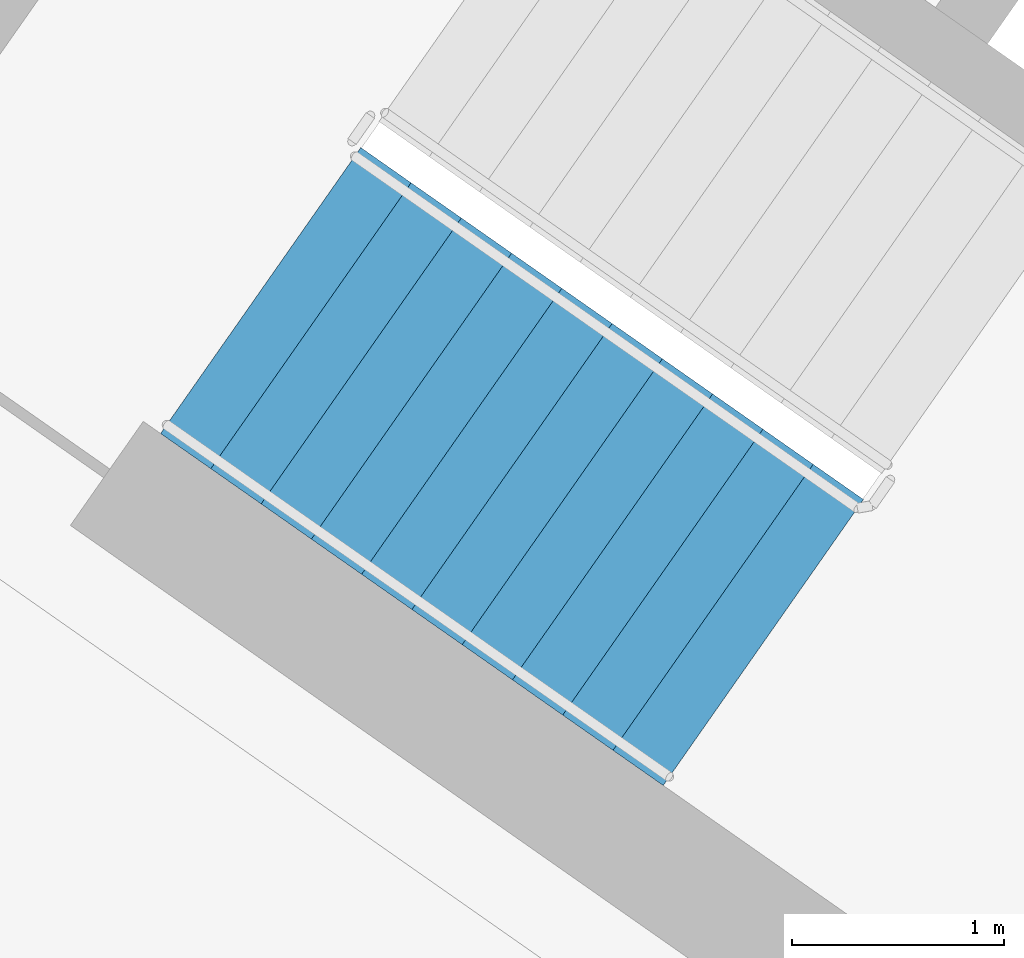
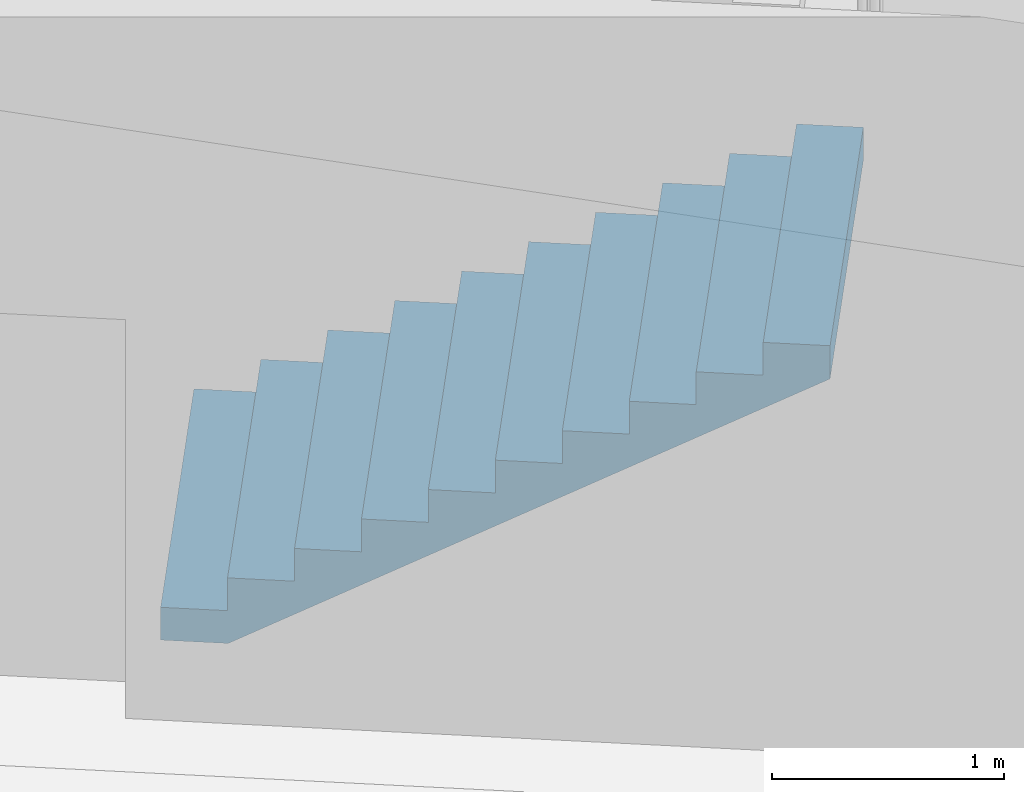
# One storey, part 9 of 27: 1 stair flight, 1 element without a shape of its own.
"""IFC4 building model written with IfcOpenShell, lengths in metres."""

from ifc_helpers import new_model, si_unit, direction, frame, origin, place, context, subcontext, project, spatial, faceted_brep, material, type_object, element, aggregate, save


model = new_model("IFC4")

# Units and contexts
model_context = context("Model", 3, precision=1e-05, world=origin(), true_north=direction((0.0, 1.0)))
body_context = subcontext(model_context, "Body", "Model", "MODEL_VIEW")
ifc_project = project(units=[si_unit("LENGTHUNIT", "METRE"), si_unit("AREAUNIT", "SQUARE_METRE"), si_unit("VOLUMEUNIT", "CUBIC_METRE"), si_unit("PLANEANGLEUNIT", "RADIAN"), si_unit("MASSUNIT", "GRAM", prefix="KILO")], contexts=[model_context])

# Site, building, storey
site_placement = place(None, origin())
site = spatial("IfcSite", under=ifc_project, at=site_placement, CompositionType="ELEMENT")
building_placement = place(site_placement, origin())
building = spatial("IfcBuilding", under=site, at=building_placement, Name="Qamariyya Broadcast Tower", CompositionType="ELEMENT")
storey_placement = place(building_placement, frame((0.0, 0.0, 172.10009765625)))
storey = spatial("IfcBuildingStorey", under=building, at=storey_placement, Name="L40", CompositionType="ELEMENT", Elevation=172.10009765625)

# Stair, stair flight
ifc_material = material(Name="Concrete C50/60", Category="concrete")
stair_type = type_object("IfcStairType", Name="Exit stair 22 risers of 173 mm", PredefinedType="HALF_TURN_STAIR", material=ifc_material)
stair_placement = place(storey_placement, origin())
stair = element("IfcStair", 1, at=stair_placement, inside=storey, type_object=stair_type, Name="L40 Stair W1", PredefinedType="HALF_TURN_STAIR")
stair_flight_type = type_object("IfcStairFlightType", Name="Exit stair flight 11 risers of 173 mm", PredefinedType="STRAIGHT", material=ifc_material)
stair_flight_placement = place(storey_placement, frame((-47.06884765625, -56.982666015625, 0.0), z_axis=(0.0, 0.0, 1.0), x_axis=(0.819152044289, -0.573576436351, 0.0)))
stair_flight = element("IfcStairFlight", 2, at=stair_flight_placement, type_object=stair_flight_type, Name="ST-W1 flight 1", NumberOfRisers=11, NumberOfTreads=10, PredefinedType="STRAIGHT", RiserHeight=0.172727273, TreadLength=0.29, context=body_context, shape_type="Brep", body=[
    faceted_brep([(0.0, 0.824951171875, 0.0), (0.0, 0.824951171875, 0.172607421875), (0.2900390625, 0.824951171875, 0.172607421875), (0.2900390625, 0.824951171875, 0.345458984375), (0.580078125, 0.824951171875, 0.345458984375), (0.580078125, 0.824951171875, 0.51806640625), (0.8701171875, 0.824951171875, 0.51806640625), (0.8701171875, 0.824951171875, 0.69091796875), (1.159912109375, 0.824951171875, 0.69091796875), (1.159912109375, 0.824951171875, 0.863525390625), (1.449951171875, 0.824951171875, 0.863525390625), (1.449951171875, 0.824951171875, 1.036376953125), (1.739990234375, 0.824951171875, 1.036376953125), (1.739990234375, 0.824951171875, 1.208984375), (2.030029296875, 0.824951171875, 1.208984375), (2.030029296875, 0.824951171875, 1.3818359375), (2.320068359375, 0.824951171875, 1.3818359375), (2.320068359375, 0.824951171875, 1.554443359375), (2.610107421875, 0.824951171875, 1.554443359375), (2.610107421875, 0.824951171875, 1.727294921875), (2.89990234375, 0.824951171875, 1.727294921875), (2.89990234375, 0.824951171875, 1.552734375), (0.29296875, 0.824951171875, 0.0), (0.29296875, -0.824951171875, 0.0), (2.89990234375, -0.824951171875, 1.552734375), (2.89990234375, -0.824951171875, 1.727294921875), (2.610107421875, -0.824951171875, 1.727294921875), (2.610107421875, -0.824951171875, 1.554443359375), (2.320068359375, -0.824951171875, 1.554443359375), (2.320068359375, -0.824951171875, 1.3818359375), (2.030029296875, -0.824951171875, 1.3818359375), (2.030029296875, -0.824951171875, 1.208984375), (1.739990234375, -0.824951171875, 1.208984375), (1.739990234375, -0.824951171875, 1.036376953125), (1.449951171875, -0.824951171875, 1.036376953125), (1.449951171875, -0.824951171875, 0.863525390625), (1.159912109375, -0.824951171875, 0.863525390625), (1.159912109375, -0.824951171875, 0.69091796875), (0.8701171875, -0.824951171875, 0.69091796875), (0.8701171875, -0.824951171875, 0.51806640625), (0.580078125, -0.824951171875, 0.51806640625), (0.580078125, -0.824951171875, 0.345458984375), (0.2900390625, -0.824951171875, 0.345458984375), (0.2900390625, -0.824951171875, 0.172607421875), (0.0, -0.824951171875, 0.172607421875), (0.0, -0.824951171875, 0.0), (0.0, 0.10009765625, 0.0), (0.0, 0.086669921875, 0.0), (0.0, 0.0732421875, 0.0), (0.0, 0.06005859375, 0.0), (0.0, 0.046630859375, 0.0), (0.0, 0.033447265625, 0.0), (0.0, 0.02001953125, 0.0), (0.0, 0.006591796875, 0.0), (0.0, -0.006591796875, 0.0), (0.0, -0.02001953125, 0.0), (0.0, -0.033447265625, 0.0), (0.0, -0.046630859375, 0.0), (0.0, -0.06005859375, 0.0), (0.0, -0.0732421875, 0.0), (0.0, -0.086669921875, 0.0), (0.0, -0.10009765625, 0.0), (0.0, -0.10009765625, 0.172607421875), (0.0, -0.086669921875, 0.172607421875), (0.0, -0.0732421875, 0.172607421875), (0.0, -0.06005859375, 0.172607421875), (0.0, -0.046630859375, 0.172607421875), (0.0, -0.033447265625, 0.172607421875), (0.0, -0.02001953125, 0.172607421875), (0.0, -0.006591796875, 0.172607421875), (0.0, 0.006591796875, 0.172607421875), (0.0, 0.02001953125, 0.172607421875), (0.0, 0.033447265625, 0.172607421875), (0.0, 0.046630859375, 0.172607421875), (0.0, 0.06005859375, 0.172607421875), (0.0, 0.0732421875, 0.172607421875), (0.0, 0.086669921875, 0.172607421875), (0.0, 0.10009765625, 0.172607421875), (0.2900390625, -0.10009765625, 0.172607421875), (0.2900390625, -0.086669921875, 0.172607421875), (0.2900390625, -0.0732421875, 0.172607421875), (0.2900390625, -0.06005859375, 0.172607421875), (0.2900390625, -0.046630859375, 0.172607421875), (0.2900390625, -0.033447265625, 0.172607421875), (0.2900390625, -0.02001953125, 0.172607421875), (0.2900390625, -0.006591796875, 0.172607421875), (0.2900390625, 0.006591796875, 0.172607421875), (0.2900390625, 0.02001953125, 0.172607421875), (0.2900390625, 0.033447265625, 0.172607421875), (0.2900390625, 0.046630859375, 0.172607421875), (0.2900390625, 0.06005859375, 0.172607421875), (0.2900390625, 0.0732421875, 0.172607421875), (0.2900390625, 0.086669921875, 0.172607421875), (0.2900390625, 0.10009765625, 0.172607421875), (0.2900390625, -0.10009765625, 0.345458984375), (0.2900390625, -0.086669921875, 0.345458984375), (0.2900390625, -0.0732421875, 0.345458984375), (0.2900390625, -0.06005859375, 0.345458984375), (0.2900390625, -0.046630859375, 0.345458984375), (0.2900390625, -0.033447265625, 0.345458984375), (0.2900390625, -0.02001953125, 0.345458984375), (0.2900390625, -0.006591796875, 0.345458984375), (0.2900390625, 0.006591796875, 0.345458984375), (0.2900390625, 0.02001953125, 0.345458984375), (0.2900390625, 0.033447265625, 0.345458984375), (0.2900390625, 0.046630859375, 0.345458984375), (0.2900390625, 0.06005859375, 0.345458984375), (0.2900390625, 0.0732421875, 0.345458984375), (0.2900390625, 0.086669921875, 0.345458984375), (0.2900390625, 0.10009765625, 0.345458984375), (0.580078125, -0.10009765625, 0.345458984375), (0.580078125, -0.086669921875, 0.345458984375), (0.580078125, -0.0732421875, 0.345458984375), (0.580078125, -0.06005859375, 0.345458984375), (0.580078125, -0.046630859375, 0.345458984375), (0.580078125, -0.033447265625, 0.345458984375), (0.580078125, -0.02001953125, 0.345458984375), (0.580078125, -0.006591796875, 0.345458984375), (0.580078125, 0.006591796875, 0.345458984375), (0.580078125, 0.02001953125, 0.345458984375), (0.580078125, 0.033447265625, 0.345458984375), (0.580078125, 0.046630859375, 0.345458984375), (0.580078125, 0.06005859375, 0.345458984375), (0.580078125, 0.0732421875, 0.345458984375), (0.580078125, 0.086669921875, 0.345458984375), (0.580078125, 0.10009765625, 0.345458984375), (0.580078125, -0.10009765625, 0.51806640625), (0.580078125, -0.086669921875, 0.51806640625), (0.580078125, -0.0732421875, 0.51806640625), (0.580078125, -0.06005859375, 0.51806640625), (0.580078125, -0.046630859375, 0.51806640625), (0.580078125, -0.033447265625, 0.51806640625), (0.580078125, -0.02001953125, 0.51806640625), (0.580078125, -0.006591796875, 0.51806640625), (0.580078125, 0.006591796875, 0.51806640625), (0.580078125, 0.02001953125, 0.51806640625), (0.580078125, 0.033447265625, 0.51806640625), (0.580078125, 0.046630859375, 0.51806640625), (0.580078125, 0.06005859375, 0.51806640625), (0.580078125, 0.0732421875, 0.51806640625), (0.580078125, 0.086669921875, 0.51806640625), (0.580078125, 0.10009765625, 0.51806640625), (0.8701171875, -0.10009765625, 0.51806640625), (0.8701171875, -0.086669921875, 0.51806640625), (0.8701171875, -0.0732421875, 0.51806640625), (0.8701171875, -0.06005859375, 0.51806640625), (0.8701171875, -0.046630859375, 0.51806640625), (0.8701171875, -0.033447265625, 0.51806640625), (0.8701171875, -0.02001953125, 0.51806640625), (0.8701171875, -0.006591796875, 0.51806640625), (0.8701171875, 0.006591796875, 0.51806640625), (0.8701171875, 0.02001953125, 0.51806640625), (0.8701171875, 0.033447265625, 0.51806640625), (0.8701171875, 0.046630859375, 0.51806640625), (0.8701171875, 0.06005859375, 0.51806640625), (0.8701171875, 0.0732421875, 0.51806640625), (0.8701171875, 0.086669921875, 0.51806640625), (0.8701171875, 0.10009765625, 0.51806640625), (0.8701171875, -0.10009765625, 0.69091796875), (0.8701171875, -0.086669921875, 0.69091796875), (0.8701171875, -0.0732421875, 0.69091796875), (0.8701171875, -0.06005859375, 0.69091796875), (0.8701171875, -0.046630859375, 0.69091796875), (0.8701171875, -0.033447265625, 0.69091796875), (0.8701171875, -0.02001953125, 0.69091796875), (0.8701171875, -0.006591796875, 0.69091796875), (0.8701171875, 0.006591796875, 0.69091796875), (0.8701171875, 0.02001953125, 0.69091796875), (0.8701171875, 0.033447265625, 0.69091796875), (0.8701171875, 0.046630859375, 0.69091796875), (0.8701171875, 0.06005859375, 0.69091796875), (0.8701171875, 0.0732421875, 0.69091796875), (0.8701171875, 0.086669921875, 0.69091796875), (0.8701171875, 0.10009765625, 0.69091796875), (1.159912109375, -0.10009765625, 0.69091796875), (1.159912109375, -0.086669921875, 0.69091796875), (1.159912109375, -0.0732421875, 0.69091796875), (1.159912109375, -0.06005859375, 0.69091796875), (1.159912109375, -0.046630859375, 0.69091796875), (1.159912109375, -0.033447265625, 0.69091796875), (1.159912109375, -0.02001953125, 0.69091796875), (1.159912109375, -0.006591796875, 0.69091796875), (1.159912109375, 0.006591796875, 0.69091796875), (1.159912109375, 0.02001953125, 0.69091796875), (1.159912109375, 0.033447265625, 0.69091796875), (1.159912109375, 0.046630859375, 0.69091796875), (1.159912109375, 0.06005859375, 0.69091796875), (1.159912109375, 0.0732421875, 0.69091796875), (1.159912109375, 0.086669921875, 0.69091796875), (1.159912109375, 0.10009765625, 0.69091796875), (1.159912109375, -0.10009765625, 0.863525390625), (1.159912109375, -0.086669921875, 0.863525390625), (1.159912109375, -0.0732421875, 0.863525390625), (1.159912109375, -0.06005859375, 0.863525390625), (1.159912109375, -0.046630859375, 0.863525390625), (1.159912109375, -0.033447265625, 0.863525390625), (1.159912109375, -0.02001953125, 0.863525390625), (1.159912109375, -0.006591796875, 0.863525390625), (1.159912109375, 0.006591796875, 0.863525390625), (1.159912109375, 0.02001953125, 0.863525390625), (1.159912109375, 0.033447265625, 0.863525390625), (1.159912109375, 0.046630859375, 0.863525390625), (1.159912109375, 0.06005859375, 0.863525390625), (1.159912109375, 0.0732421875, 0.863525390625), (1.159912109375, 0.086669921875, 0.863525390625), (1.159912109375, 0.10009765625, 0.863525390625), (1.449951171875, -0.10009765625, 0.863525390625), (1.449951171875, -0.086669921875, 0.863525390625), (1.449951171875, -0.0732421875, 0.863525390625), (1.449951171875, -0.06005859375, 0.863525390625), (1.449951171875, -0.046630859375, 0.863525390625), (1.449951171875, -0.033447265625, 0.863525390625), (1.449951171875, -0.02001953125, 0.863525390625), (1.449951171875, -0.006591796875, 0.863525390625), (1.449951171875, 0.006591796875, 0.863525390625), (1.449951171875, 0.02001953125, 0.863525390625), (1.449951171875, 0.033447265625, 0.863525390625), (1.449951171875, 0.046630859375, 0.863525390625), (1.449951171875, 0.06005859375, 0.863525390625), (1.449951171875, 0.0732421875, 0.863525390625), (1.449951171875, 0.086669921875, 0.863525390625), (1.449951171875, 0.10009765625, 0.863525390625), (1.449951171875, -0.10009765625, 1.036376953125), (1.449951171875, -0.086669921875, 1.036376953125), (1.449951171875, -0.0732421875, 1.036376953125), (1.449951171875, -0.06005859375, 1.036376953125), (1.449951171875, -0.046630859375, 1.036376953125), (1.449951171875, -0.033447265625, 1.036376953125), (1.449951171875, -0.02001953125, 1.036376953125), (1.449951171875, -0.006591796875, 1.036376953125), (1.449951171875, 0.006591796875, 1.036376953125), (1.449951171875, 0.02001953125, 1.036376953125), (1.449951171875, 0.033447265625, 1.036376953125), (1.449951171875, 0.046630859375, 1.036376953125), (1.449951171875, 0.06005859375, 1.036376953125), (1.449951171875, 0.0732421875, 1.036376953125), (1.449951171875, 0.086669921875, 1.036376953125), (1.449951171875, 0.10009765625, 1.036376953125), (1.739990234375, -0.10009765625, 1.036376953125), (1.739990234375, -0.086669921875, 1.036376953125), (1.739990234375, -0.0732421875, 1.036376953125), (1.739990234375, -0.06005859375, 1.036376953125), (1.739990234375, -0.046630859375, 1.036376953125), (1.739990234375, -0.033447265625, 1.036376953125), (1.739990234375, -0.02001953125, 1.036376953125), (1.739990234375, -0.006591796875, 1.036376953125), (1.739990234375, 0.006591796875, 1.036376953125), (1.739990234375, 0.02001953125, 1.036376953125), (1.739990234375, 0.033447265625, 1.036376953125), (1.739990234375, 0.046630859375, 1.036376953125), (1.739990234375, 0.06005859375, 1.036376953125), (1.739990234375, 0.0732421875, 1.036376953125), (1.739990234375, 0.086669921875, 1.036376953125), (1.739990234375, 0.10009765625, 1.036376953125), (1.739990234375, -0.10009765625, 1.208984375), (1.739990234375, -0.086669921875, 1.208984375), (1.739990234375, -0.0732421875, 1.208984375), (1.739990234375, -0.06005859375, 1.208984375), (1.739990234375, -0.046630859375, 1.208984375), (1.739990234375, -0.033447265625, 1.208984375), (1.739990234375, -0.02001953125, 1.208984375), (1.739990234375, -0.006591796875, 1.208984375), (1.739990234375, 0.006591796875, 1.208984375), (1.739990234375, 0.02001953125, 1.208984375), (1.739990234375, 0.033447265625, 1.208984375), (1.739990234375, 0.046630859375, 1.208984375), (1.739990234375, 0.06005859375, 1.208984375), (1.739990234375, 0.0732421875, 1.208984375), (1.739990234375, 0.086669921875, 1.208984375), (1.739990234375, 0.10009765625, 1.208984375), (2.030029296875, -0.10009765625, 1.208984375), (2.030029296875, -0.086669921875, 1.208984375), (2.030029296875, -0.0732421875, 1.208984375), (2.030029296875, -0.06005859375, 1.208984375), (2.030029296875, -0.046630859375, 1.208984375), (2.030029296875, -0.033447265625, 1.208984375), (2.030029296875, -0.02001953125, 1.208984375), (2.030029296875, -0.006591796875, 1.208984375), (2.030029296875, 0.006591796875, 1.208984375), (2.030029296875, 0.02001953125, 1.208984375), (2.030029296875, 0.033447265625, 1.208984375), (2.030029296875, 0.046630859375, 1.208984375), (2.030029296875, 0.06005859375, 1.208984375), (2.030029296875, 0.0732421875, 1.208984375), (2.030029296875, 0.086669921875, 1.208984375), (2.030029296875, 0.10009765625, 1.208984375), (2.030029296875, -0.10009765625, 1.3818359375), (2.030029296875, -0.086669921875, 1.3818359375), (2.030029296875, -0.0732421875, 1.3818359375), (2.030029296875, -0.06005859375, 1.3818359375), (2.030029296875, -0.046630859375, 1.3818359375), (2.030029296875, -0.033447265625, 1.3818359375), (2.030029296875, -0.02001953125, 1.3818359375), (2.030029296875, -0.006591796875, 1.3818359375), (2.030029296875, 0.006591796875, 1.3818359375), (2.030029296875, 0.02001953125, 1.3818359375), (2.030029296875, 0.033447265625, 1.3818359375), (2.030029296875, 0.046630859375, 1.3818359375), (2.030029296875, 0.06005859375, 1.3818359375), (2.030029296875, 0.0732421875, 1.3818359375), (2.030029296875, 0.086669921875, 1.3818359375), (2.030029296875, 0.10009765625, 1.3818359375), (2.320068359375, -0.10009765625, 1.3818359375), (2.320068359375, -0.086669921875, 1.3818359375), (2.320068359375, -0.0732421875, 1.3818359375), (2.320068359375, -0.06005859375, 1.3818359375), (2.320068359375, -0.046630859375, 1.3818359375), (2.320068359375, -0.033447265625, 1.3818359375), (2.320068359375, -0.02001953125, 1.3818359375), (2.320068359375, -0.006591796875, 1.3818359375), (2.320068359375, 0.006591796875, 1.3818359375), (2.320068359375, 0.02001953125, 1.3818359375), (2.320068359375, 0.033447265625, 1.3818359375), (2.320068359375, 0.046630859375, 1.3818359375), (2.320068359375, 0.06005859375, 1.3818359375), (2.320068359375, 0.0732421875, 1.3818359375), (2.320068359375, 0.086669921875, 1.3818359375), (2.320068359375, 0.10009765625, 1.3818359375), (2.320068359375, -0.10009765625, 1.554443359375), (2.320068359375, -0.086669921875, 1.554443359375), (2.320068359375, -0.0732421875, 1.554443359375), (2.320068359375, -0.06005859375, 1.554443359375), (2.320068359375, -0.046630859375, 1.554443359375), (2.320068359375, -0.033447265625, 1.554443359375), (2.320068359375, -0.02001953125, 1.554443359375), (2.320068359375, -0.006591796875, 1.554443359375), (2.320068359375, 0.006591796875, 1.554443359375), (2.320068359375, 0.02001953125, 1.554443359375), (2.320068359375, 0.033447265625, 1.554443359375), (2.320068359375, 0.046630859375, 1.554443359375), (2.320068359375, 0.06005859375, 1.554443359375), (2.320068359375, 0.0732421875, 1.554443359375), (2.320068359375, 0.086669921875, 1.554443359375), (2.320068359375, 0.10009765625, 1.554443359375), (2.610107421875, -0.10009765625, 1.554443359375), (2.610107421875, -0.086669921875, 1.554443359375), (2.610107421875, -0.0732421875, 1.554443359375), (2.610107421875, -0.06005859375, 1.554443359375), (2.610107421875, -0.046630859375, 1.554443359375), (2.610107421875, -0.033447265625, 1.554443359375), (2.610107421875, -0.02001953125, 1.554443359375), (2.610107421875, -0.006591796875, 1.554443359375), (2.610107421875, 0.006591796875, 1.554443359375), (2.610107421875, 0.02001953125, 1.554443359375), (2.610107421875, 0.033447265625, 1.554443359375), (2.610107421875, 0.046630859375, 1.554443359375), (2.610107421875, 0.06005859375, 1.554443359375), (2.610107421875, 0.0732421875, 1.554443359375), (2.610107421875, 0.086669921875, 1.554443359375), (2.610107421875, 0.10009765625, 1.554443359375), (2.610107421875, -0.10009765625, 1.727294921875), (2.610107421875, -0.086669921875, 1.727294921875), (2.610107421875, -0.0732421875, 1.727294921875), (2.610107421875, -0.06005859375, 1.727294921875), (2.610107421875, -0.046630859375, 1.727294921875), (2.610107421875, -0.033447265625, 1.727294921875), (2.610107421875, -0.02001953125, 1.727294921875), (2.610107421875, -0.006591796875, 1.727294921875), (2.610107421875, 0.006591796875, 1.727294921875), (2.610107421875, 0.02001953125, 1.727294921875), (2.610107421875, 0.033447265625, 1.727294921875), (2.610107421875, 0.046630859375, 1.727294921875), (2.610107421875, 0.06005859375, 1.727294921875), (2.610107421875, 0.0732421875, 1.727294921875), (2.610107421875, 0.086669921875, 1.727294921875), (2.610107421875, 0.10009765625, 1.727294921875), (2.89990234375, -0.10009765625, 1.727294921875), (2.89990234375, -0.086669921875, 1.727294921875), (2.89990234375, -0.0732421875, 1.727294921875), (2.89990234375, -0.06005859375, 1.727294921875), (2.89990234375, -0.046630859375, 1.727294921875), (2.89990234375, -0.033447265625, 1.727294921875), (2.89990234375, -0.02001953125, 1.727294921875), (2.89990234375, -0.006591796875, 1.727294921875), (2.89990234375, 0.006591796875, 1.727294921875), (2.89990234375, 0.02001953125, 1.727294921875), (2.89990234375, 0.033447265625, 1.727294921875), (2.89990234375, 0.046630859375, 1.727294921875), (2.89990234375, 0.06005859375, 1.727294921875), (2.89990234375, 0.0732421875, 1.727294921875), (2.89990234375, 0.086669921875, 1.727294921875), (2.89990234375, 0.10009765625, 1.727294921875), (2.89990234375, -0.10009765625, 1.552734375), (2.89990234375, -0.086669921875, 1.552734375), (2.89990234375, -0.0732421875, 1.552734375), (2.89990234375, -0.06005859375, 1.552734375), (2.89990234375, -0.046630859375, 1.552734375), (2.89990234375, -0.033447265625, 1.552734375), (2.89990234375, -0.02001953125, 1.552734375), (2.89990234375, -0.006591796875, 1.552734375), (2.89990234375, 0.006591796875, 1.552734375), (2.89990234375, 0.02001953125, 1.552734375), (2.89990234375, 0.033447265625, 1.552734375), (2.89990234375, 0.046630859375, 1.552734375), (2.89990234375, 0.06005859375, 1.552734375), (2.89990234375, 0.0732421875, 1.552734375), (2.89990234375, 0.086669921875, 1.552734375), (2.89990234375, 0.10009765625, 1.552734375), (0.29296875, -0.10009765625, 0.0), (0.29296875, -0.086669921875, 0.0), (0.29296875, -0.0732421875, 0.0), (0.29296875, -0.06005859375, 0.0), (0.29296875, -0.046630859375, 0.0), (0.29296875, -0.033447265625, 0.0), (0.29296875, -0.02001953125, 0.0), (0.29296875, -0.006591796875, 0.0), (0.29296875, 0.006591796875, 0.0), (0.29296875, 0.02001953125, 0.0), (0.29296875, 0.033447265625, 0.0), (0.29296875, 0.046630859375, 0.0), (0.29296875, 0.06005859375, 0.0), (0.29296875, 0.0732421875, 0.0), (0.29296875, 0.086669921875, 0.0), (0.29296875, 0.10009765625, 0.0)], [[[0, 1, 2, 3, 4, 5, 6, 7, 8, 9, 10, 11, 12, 13, 14, 15, 16, 17, 18, 19, 20, 21, 22]], [[23, 24, 25, 26, 27, 28, 29, 30, 31, 32, 33, 34, 35, 36, 37, 38, 39, 40, 41, 42, 43, 44, 45]], [[0, 46, 47, 48, 49, 50, 51, 52, 53, 54, 55, 56, 57, 58, 59, 60, 61, 45, 44, 62, 63, 64, 65, 66, 67, 68, 69, 70, 71, 72, 73, 74, 75, 76, 77, 1]], [[1, 77, 76, 75, 74, 73, 72, 71, 70, 69, 68, 67, 66, 65, 64, 63, 62, 44, 43, 78, 79, 80, 81, 82, 83, 84, 85, 86, 87, 88, 89, 90, 91, 92, 93, 2]], [[2, 93, 92, 91, 90, 89, 88, 87, 86, 85, 84, 83, 82, 81, 80, 79, 78, 43, 42, 94, 95, 96, 97, 98, 99, 100, 101, 102, 103, 104, 105, 106, 107, 108, 109, 3]], [[3, 109, 108, 107, 106, 105, 104, 103, 102, 101, 100, 99, 98, 97, 96, 95, 94, 42, 41, 110, 111, 112, 113, 114, 115, 116, 117, 118, 119, 120, 121, 122, 123, 124, 125, 4]], [[4, 125, 124, 123, 122, 121, 120, 119, 118, 117, 116, 115, 114, 113, 112, 111, 110, 41, 40, 126, 127, 128, 129, 130, 131, 132, 133, 134, 135, 136, 137, 138, 139, 140, 141, 5]], [[5, 141, 140, 139, 138, 137, 136, 135, 134, 133, 132, 131, 130, 129, 128, 127, 126, 40, 39, 142, 143, 144, 145, 146, 147, 148, 149, 150, 151, 152, 153, 154, 155, 156, 157, 6]], [[6, 157, 156, 155, 154, 153, 152, 151, 150, 149, 148, 147, 146, 145, 144, 143, 142, 39, 38, 158, 159, 160, 161, 162, 163, 164, 165, 166, 167, 168, 169, 170, 171, 172, 173, 7]], [[7, 173, 172, 171, 170, 169, 168, 167, 166, 165, 164, 163, 162, 161, 160, 159, 158, 38, 37, 174, 175, 176, 177, 178, 179, 180, 181, 182, 183, 184, 185, 186, 187, 188, 189, 8]], [[8, 189, 188, 187, 186, 185, 184, 183, 182, 181, 180, 179, 178, 177, 176, 175, 174, 37, 36, 190, 191, 192, 193, 194, 195, 196, 197, 198, 199, 200, 201, 202, 203, 204, 205, 9]], [[9, 205, 204, 203, 202, 201, 200, 199, 198, 197, 196, 195, 194, 193, 192, 191, 190, 36, 35, 206, 207, 208, 209, 210, 211, 212, 213, 214, 215, 216, 217, 218, 219, 220, 221, 10]], [[10, 221, 220, 219, 218, 217, 216, 215, 214, 213, 212, 211, 210, 209, 208, 207, 206, 35, 34, 222, 223, 224, 225, 226, 227, 228, 229, 230, 231, 232, 233, 234, 235, 236, 237, 11]], [[11, 237, 236, 235, 234, 233, 232, 231, 230, 229, 228, 227, 226, 225, 224, 223, 222, 34, 33, 238, 239, 240, 241, 242, 243, 244, 245, 246, 247, 248, 249, 250, 251, 252, 253, 12]], [[12, 253, 252, 251, 250, 249, 248, 247, 246, 245, 244, 243, 242, 241, 240, 239, 238, 33, 32, 254, 255, 256, 257, 258, 259, 260, 261, 262, 263, 264, 265, 266, 267, 268, 269, 13]], [[13, 269, 268, 267, 266, 265, 264, 263, 262, 261, 260, 259, 258, 257, 256, 255, 254, 32, 31, 270, 271, 272, 273, 274, 275, 276, 277, 278, 279, 280, 281, 282, 283, 284, 285, 14]], [[14, 285, 284, 283, 282, 281, 280, 279, 278, 277, 276, 275, 274, 273, 272, 271, 270, 31, 30, 286, 287, 288, 289, 290, 291, 292, 293, 294, 295, 296, 297, 298, 299, 300, 301, 15]], [[15, 301, 300, 299, 298, 297, 296, 295, 294, 293, 292, 291, 290, 289, 288, 287, 286, 30, 29, 302, 303, 304, 305, 306, 307, 308, 309, 310, 311, 312, 313, 314, 315, 316, 317, 16]], [[16, 317, 316, 315, 314, 313, 312, 311, 310, 309, 308, 307, 306, 305, 304, 303, 302, 29, 28, 318, 319, 320, 321, 322, 323, 324, 325, 326, 327, 328, 329, 330, 331, 332, 333, 17]], [[17, 333, 332, 331, 330, 329, 328, 327, 326, 325, 324, 323, 322, 321, 320, 319, 318, 28, 27, 334, 335, 336, 337, 338, 339, 340, 341, 342, 343, 344, 345, 346, 347, 348, 349, 18]], [[18, 349, 348, 347, 346, 345, 344, 343, 342, 341, 340, 339, 338, 337, 336, 335, 334, 27, 26, 350, 351, 352, 353, 354, 355, 356, 357, 358, 359, 360, 361, 362, 363, 364, 365, 19]], [[19, 365, 364, 363, 362, 361, 360, 359, 358, 357, 356, 355, 354, 353, 352, 351, 350, 26, 25, 366, 367, 368, 369, 370, 371, 372, 373, 374, 375, 376, 377, 378, 379, 380, 381, 20]], [[20, 381, 380, 379, 378, 377, 376, 375, 374, 373, 372, 371, 370, 369, 368, 367, 366, 25, 24, 382, 383, 384, 385, 386, 387, 388, 389, 390, 391, 392, 393, 394, 395, 396, 397, 21]], [[21, 397, 396, 395, 394, 393, 392, 391, 390, 389, 388, 387, 386, 385, 384, 383, 382, 24, 23, 398, 399, 400, 401, 402, 403, 404, 405, 406, 407, 408, 409, 410, 411, 412, 413, 22]], [[22, 413, 412, 411, 410, 409, 408, 407, 406, 405, 404, 403, 402, 401, 400, 399, 398, 23, 45, 61, 60, 59, 58, 57, 56, 55, 54, 53, 52, 51, 50, 49, 48, 47, 46, 0]]]),
])
aggregate(stair, [stair_flight])

save(model, "model.ifc")
